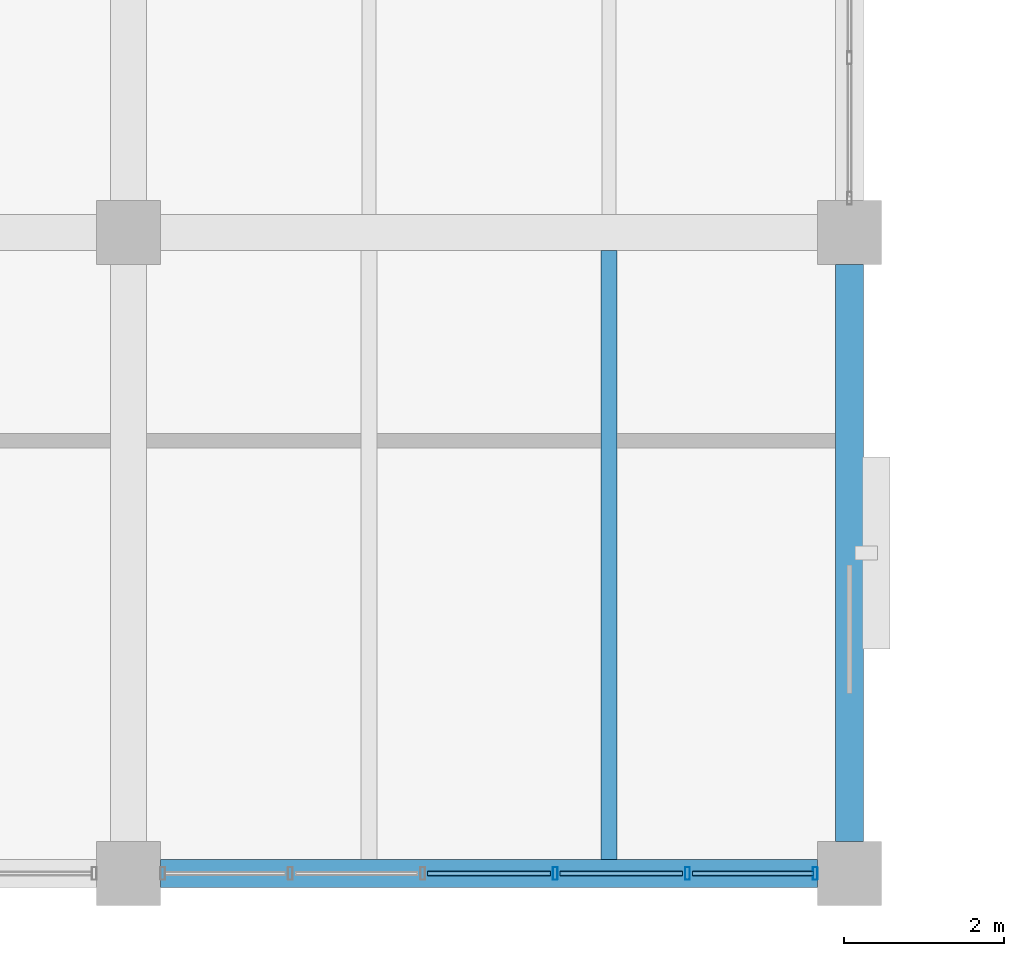
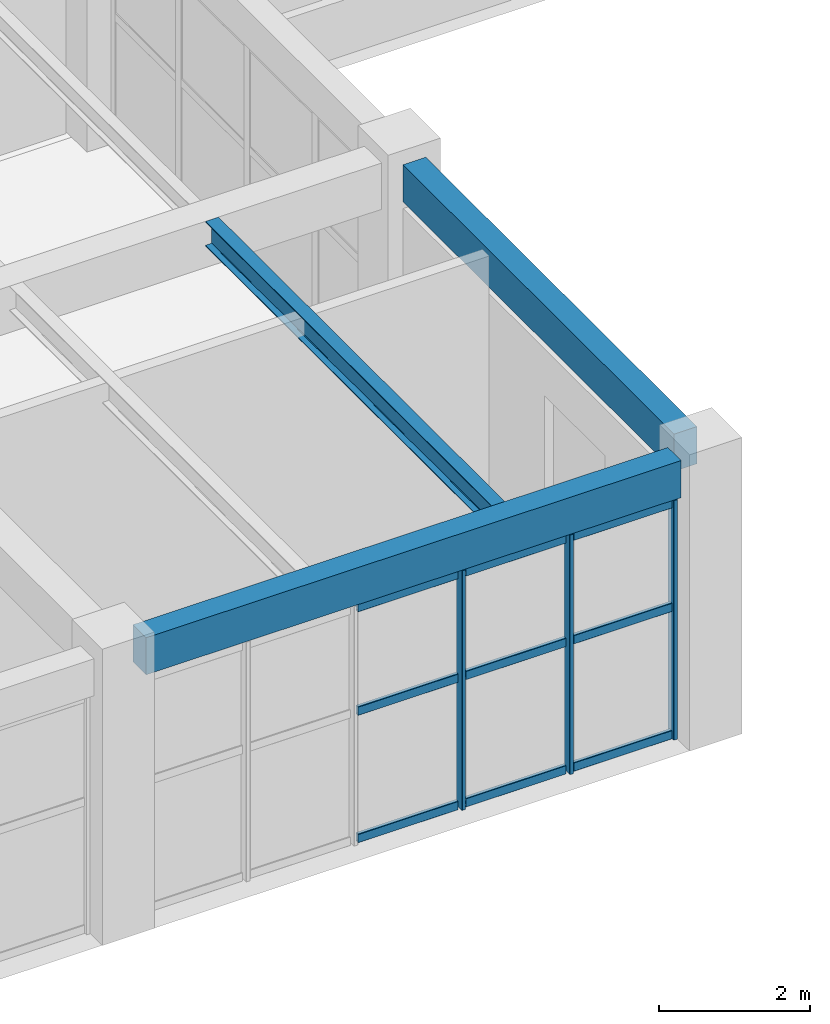
# One storey, part 26 of 178: 12 members, 3 beams, 1 element without a shape of its own.
"""IFC4 building model written with IfcOpenShell, lengths in metres."""

from ifc_helpers import new_model, si_unit, derived_unit, direction, frame, origin, origin_2d, place, context, subcontext, project, spatial, rectangle, hollow_rectangle, i_section, extrude, material, material_profile, profile_set, type_object, element, aggregate, save


model = new_model("IFC4")

# Units and contexts
model_context = context("Model", 3, precision=1e-05, world=origin(), true_north=direction((0.0, 1.0)))
body_context = subcontext(model_context, "Body", "Model", "MODEL_VIEW")
ifc_project = project(units=[si_unit("LENGTHUNIT", "METRE"), si_unit("AREAUNIT", "SQUARE_METRE"), si_unit("VOLUMEUNIT", "CUBIC_METRE"), si_unit("PLANEANGLEUNIT", "RADIAN"), si_unit("MASSUNIT", "GRAM", prefix="KILO"), derived_unit("THERMALTRANSMITTANCEUNIT", [(si_unit("MASSUNIT", "GRAM", prefix="KILO"), 1), (si_unit("TIMEUNIT", "SECOND"), -3), (si_unit("THERMODYNAMICTEMPERATUREUNIT", "KELVIN"), -1)])], contexts=[model_context])

# Site, building, storey
site_placement = place(None, origin())
site = spatial("IfcSite", under=ifc_project, at=site_placement, CompositionType="ELEMENT")
building_placement = place(site_placement, origin())
building = spatial("IfcBuilding", under=site, at=building_placement, Name="Zhenchuan Archway Interchange", CompositionType="ELEMENT")
storey_placement = place(building_placement, frame((0.0, 0.0, 5.39990234375)))
storey = spatial("IfcBuildingStorey", under=building, at=storey_placement, Name="L01", CompositionType="ELEMENT", Elevation=5.39990234375)

# Curtain wall, members
ifc_material_1 = material(Name="Anodised Aluminium", Category="aluminium")
curtain_wall_type = type_object("IfcCurtainWallType", Name="CW_UNIT_3", PredefinedType="NOTDEFINED", material=ifc_material_1)
curtain_wall_placement = place(storey_placement, origin())
curtain_wall = element("IfcCurtainWall", 1, at=curtain_wall_placement, inside=storey, type_object=curtain_wall_type, Name="Unitised curtain wall CW:L01:082", PredefinedType="NOTDEFINED")
ifc_material_profile_1 = material_profile(ifc_material_1, hollow_rectangle(XDim=0.06005859375, YDim=0.159912109375, WallThickness=0.00390625, InnerFilletRadius=0.00390625, OuterFilletRadius=0.008056640625, at=origin_2d()), Name="ALU 160x60x4")
ifc_profile_set_1 = profile_set([ifc_material_profile_1], Name="Anodised Aluminium")
member_type_1 = type_object("IfcMemberType", Name="CW_MUL_150", PredefinedType="MULLION", material=ifc_profile_set_1)
member_1_placement = place(storey_placement, frame((44.572021484375, 0.0, 0.0), z_axis=(0.0, 0.0, 1.0), x_axis=(1.0, 0.0, 0.0)))
member_1 = element("IfcMember", 2, at=member_1_placement, type_object=member_type_1, Name="CW:L01:082 mullion 0", PredefinedType="MULLION", context=body_context, shape_type="SweptSolid", body=[
    extrude(hollow_rectangle(XDim=0.06005859375, YDim=0.159912109375, WallThickness=0.00390625, InnerFilletRadius=0.00390625, OuterFilletRadius=0.008056640625, at=origin_2d()), origin(), (0.0, 0.0, 1.0), 3.880126953125),
])
member_2_placement = place(storey_placement, frame((42.979248046875, 0.0, 0.0), z_axis=(0.0, 0.0, 1.0), x_axis=(1.0, 0.0, 0.0)))
member_2 = element("IfcMember", 3, at=member_2_placement, type_object=member_type_1, Name="CW:L01:082 mullion 1", PredefinedType="MULLION", context=body_context, shape_type="SweptSolid", body=[
    extrude(hollow_rectangle(XDim=0.06005859375, YDim=0.159912109375, WallThickness=0.00390625, InnerFilletRadius=0.00390625, OuterFilletRadius=0.008056640625, at=origin_2d()), origin(), (0.0, 0.0, 1.0), 3.880126953125),
])
member_3_placement = place(storey_placement, frame((41.326416015625, 0.0, 0.0), z_axis=(0.0, 0.0, 1.0), x_axis=(1.0, 0.0, 0.0)))
member_3 = element("IfcMember", 4, at=member_3_placement, type_object=member_type_1, Name="CW:L01:082 mullion 2", PredefinedType="MULLION", context=body_context, shape_type="SweptSolid", body=[
    extrude(hollow_rectangle(XDim=0.06005859375, YDim=0.159912109375, WallThickness=0.00390625, InnerFilletRadius=0.00390625, OuterFilletRadius=0.008056640625, at=origin_2d()), origin(), (0.0, 0.0, 1.0), 3.880126953125),
])
ifc_material_profile_2 = material_profile(ifc_material_1, hollow_rectangle(XDim=0.06005859375, YDim=0.139892578125, WallThickness=0.00341796875, InnerFilletRadius=0.00341796875, OuterFilletRadius=0.007080078125, at=origin_2d()), Name="ALU 140x60x3.5")
ifc_profile_set_2 = profile_set([ifc_material_profile_2], Name="Anodised Aluminium")
member_type_2 = type_object("IfcMemberType", Name="CW_TRN_140", PredefinedType="USERDEFINED", material=ifc_profile_set_2)
member_4_placement = place(storey_placement, frame((44.552001953125, 0.0, 0.06005859375), z_axis=(-1.0, 0.0, 0.0), x_axis=(0.0, -1.0, 0.0)))
member_4 = element("IfcMember", 5, at=member_4_placement, type_object=member_type_2, Name="CW:L01:082 transom 0-1", ObjectType="TRANSOM", PredefinedType="USERDEFINED", context=body_context, shape_type="SweptSolid", body=[
    extrude(hollow_rectangle(XDim=0.06005859375, YDim=0.139892578125, WallThickness=0.00341796875, InnerFilletRadius=0.00341796875, OuterFilletRadius=0.007080078125, at=origin_2d()), origin(), (0.0, 0.0, 1.0), 1.5126953125),
])
member_5_placement = place(storey_placement, frame((44.552001953125, 0.0, 2.123046875), z_axis=(-1.0, 0.0, 0.0), x_axis=(0.0, -1.0, 0.0)))
member_5 = element("IfcMember", 6, at=member_5_placement, type_object=member_type_2, Name="CW:L01:082 transom 0-2", ObjectType="TRANSOM", PredefinedType="USERDEFINED", context=body_context, shape_type="SweptSolid", body=[
    extrude(hollow_rectangle(XDim=0.06005859375, YDim=0.139892578125, WallThickness=0.00341796875, InnerFilletRadius=0.00341796875, OuterFilletRadius=0.007080078125, at=origin_2d()), origin(), (0.0, 0.0, 1.0), 1.5126953125),
])
member_6_placement = place(storey_placement, frame((44.552001953125, 0.0, 3.800048828125), z_axis=(-1.0, 0.0, 0.0), x_axis=(0.0, -1.0, 0.0)))
member_6 = element("IfcMember", 7, at=member_6_placement, type_object=member_type_2, Name="CW:L01:082 transom 0-3", ObjectType="TRANSOM", PredefinedType="USERDEFINED", context=body_context, shape_type="SweptSolid", body=[
    extrude(hollow_rectangle(XDim=0.06005859375, YDim=0.139892578125, WallThickness=0.00341796875, InnerFilletRadius=0.00341796875, OuterFilletRadius=0.007080078125, at=origin_2d()), origin(), (0.0, 0.0, 1.0), 1.5126953125),
])
member_7_placement = place(storey_placement, frame((42.919189453125, 0.0, 0.06005859375), z_axis=(-1.0, 0.0, 0.0), x_axis=(0.0, -1.0, 0.0)))
member_7 = element("IfcMember", 8, at=member_7_placement, type_object=member_type_2, Name="CW:L01:082 transom 1-1", ObjectType="TRANSOM", PredefinedType="USERDEFINED", context=body_context, shape_type="SweptSolid", body=[
    extrude(hollow_rectangle(XDim=0.06005859375, YDim=0.139892578125, WallThickness=0.00341796875, InnerFilletRadius=0.00341796875, OuterFilletRadius=0.007080078125, at=origin_2d()), origin(), (0.0, 0.0, 1.0), 1.53271484375),
])
member_8_placement = place(storey_placement, frame((42.919189453125, 0.0, 2.123046875), z_axis=(-1.0, 0.0, 0.0), x_axis=(0.0, -1.0, 0.0)))
member_8 = element("IfcMember", 9, at=member_8_placement, type_object=member_type_2, Name="CW:L01:082 transom 1-2", ObjectType="TRANSOM", PredefinedType="USERDEFINED", context=body_context, shape_type="SweptSolid", body=[
    extrude(hollow_rectangle(XDim=0.06005859375, YDim=0.139892578125, WallThickness=0.00341796875, InnerFilletRadius=0.00341796875, OuterFilletRadius=0.007080078125, at=origin_2d()), origin(), (0.0, 0.0, 1.0), 1.53271484375),
])
member_9_placement = place(storey_placement, frame((42.919189453125, 0.0, 3.800048828125), z_axis=(-1.0, 0.0, 0.0), x_axis=(0.0, -1.0, 0.0)))
member_9 = element("IfcMember", 10, at=member_9_placement, type_object=member_type_2, Name="CW:L01:082 transom 1-3", ObjectType="TRANSOM", PredefinedType="USERDEFINED", context=body_context, shape_type="SweptSolid", body=[
    extrude(hollow_rectangle(XDim=0.06005859375, YDim=0.139892578125, WallThickness=0.00341796875, InnerFilletRadius=0.00341796875, OuterFilletRadius=0.007080078125, at=origin_2d()), origin(), (0.0, 0.0, 1.0), 1.53271484375),
])
member_10_placement = place(storey_placement, frame((41.266357421875, 0.0, 0.06005859375), z_axis=(-1.0, 0.0, 0.0), x_axis=(0.0, -1.0, 0.0)))
member_10 = element("IfcMember", 11, at=member_10_placement, type_object=member_type_2, Name="CW:L01:082 transom 2-1", ObjectType="TRANSOM", PredefinedType="USERDEFINED", context=body_context, shape_type="SweptSolid", body=[
    extrude(hollow_rectangle(XDim=0.06005859375, YDim=0.139892578125, WallThickness=0.00341796875, InnerFilletRadius=0.00341796875, OuterFilletRadius=0.007080078125, at=origin_2d()), origin(), (0.0, 0.0, 1.0), 1.53271484375),
])
member_11_placement = place(storey_placement, frame((41.266357421875, 0.0, 2.123046875), z_axis=(-1.0, 0.0, 0.0), x_axis=(0.0, -1.0, 0.0)))
member_11 = element("IfcMember", 12, at=member_11_placement, type_object=member_type_2, Name="CW:L01:082 transom 2-2", ObjectType="TRANSOM", PredefinedType="USERDEFINED", context=body_context, shape_type="SweptSolid", body=[
    extrude(hollow_rectangle(XDim=0.06005859375, YDim=0.139892578125, WallThickness=0.00341796875, InnerFilletRadius=0.00341796875, OuterFilletRadius=0.007080078125, at=origin_2d()), origin(), (0.0, 0.0, 1.0), 1.53271484375),
])
member_12_placement = place(storey_placement, frame((41.266357421875, 0.0, 3.800048828125), z_axis=(-1.0, 0.0, 0.0), x_axis=(0.0, -1.0, 0.0)))
member_12 = element("IfcMember", 13, at=member_12_placement, type_object=member_type_2, Name="CW:L01:082 transom 2-3", ObjectType="TRANSOM", PredefinedType="USERDEFINED", context=body_context, shape_type="SweptSolid", body=[
    extrude(hollow_rectangle(XDim=0.06005859375, YDim=0.139892578125, WallThickness=0.00341796875, InnerFilletRadius=0.00341796875, OuterFilletRadius=0.007080078125, at=origin_2d()), origin(), (0.0, 0.0, 1.0), 1.53271484375),
])
aggregate(curtain_wall, [member_1, member_2, member_3, member_4, member_5, member_6, member_7, member_8, member_9, member_10, member_11, member_12])

# Beams
ifc_material_2 = material(Name="Steel Q355", Category="steel")
ifc_material_profile_3 = material_profile(ifc_material_2, i_section(OverallWidth=0.199951171875, OverallDepth=0.39990234375, WebThickness=0.008056640625, FlangeThickness=0.012939453125, FilletRadius=0.01611328125, at=origin_2d()), Name="HN 400x200")
ifc_profile_set_3 = profile_set([ifc_material_profile_3], Name="Steel Q355")
beam_type_1 = type_object("IfcBeamType", Name="JST_STL_HN400", PredefinedType="JOIST", material=ifc_profile_set_3)
beam_1_placement = place(storey_placement, frame((42.0, 0.175048828125, 4.3701171875), z_axis=(0.0, 1.0, 0.0), x_axis=(-1.0, 0.0, 0.0)))
element("IfcBeam", 14, at=beam_1_placement, inside=storey, type_object=beam_type_1, Name="Secondary joist 5-6/A-B #2 (L01)", PredefinedType="JOIST", context=body_context, shape_type="SweptSolid", body=[
    extrude(i_section(OverallWidth=0.199951171875, OverallDepth=0.39990234375, WebThickness=0.008056640625, FlangeThickness=0.012939453125, FilletRadius=0.01611328125, at=origin_2d()), origin(), (0.0, 0.0, 1.0), 7.599853515625),
])
ifc_material_3 = material(Name="Concrete C40", Category="concrete")
ifc_material_profile_4 = material_profile(ifc_material_3, rectangle(XDim=0.35009765625, YDim=0.60009765625, at=origin_2d()), Name="RC 350x600")
ifc_profile_set_4 = profile_set([ifc_material_profile_4], Name="Concrete C40")
beam_type_2 = type_object("IfcBeamType", Name="SP_RC_350x600", PredefinedType="SPANDREL", material=ifc_profile_set_4)
beam_2_placement = place(storey_placement, frame((36.39990234375, 0.0, 4.27001953125), z_axis=(1.0, 0.0, 0.0), x_axis=(0.0, 1.0, 0.0)))
element("IfcBeam", 15, at=beam_2_placement, inside=storey, type_object=beam_type_2, Name="Beam A:5-6 (L01)", PredefinedType="SPANDREL", context=body_context, shape_type="SweptSolid", body=[
    extrude(rectangle(XDim=0.35009765625, YDim=0.60009765625, at=origin_2d()), origin(), (0.0, 0.0, 1.0), 8.2001953125),
])
beam_3_placement = place(storey_placement, frame((45.0, 0.39990234375, 4.27001953125), z_axis=(0.0, 1.0, 0.0), x_axis=(-1.0, 0.0, 0.0)))
element("IfcBeam", 16, at=beam_3_placement, inside=storey, type_object=beam_type_2, Name="Beam 6:A-B (L01)", PredefinedType="SPANDREL", context=body_context, shape_type="SweptSolid", body=[
    extrude(rectangle(XDim=0.35009765625, YDim=0.60009765625, at=origin_2d()), origin(), (0.0, 0.0, 1.0), 7.2001953125),
])

save(model, "model.ifc")
